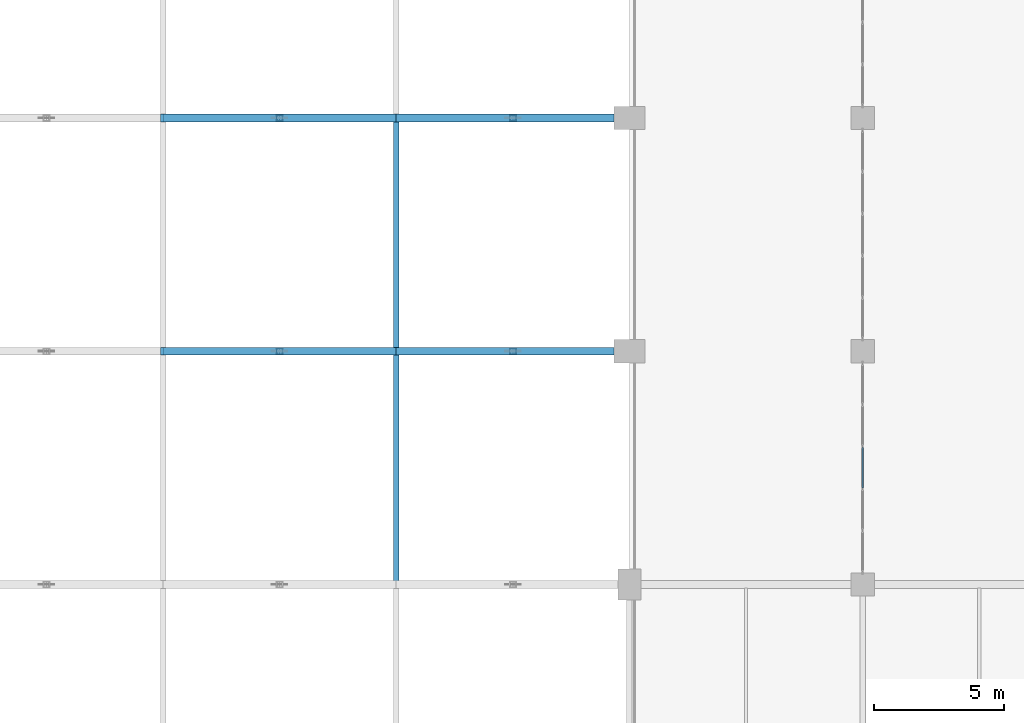
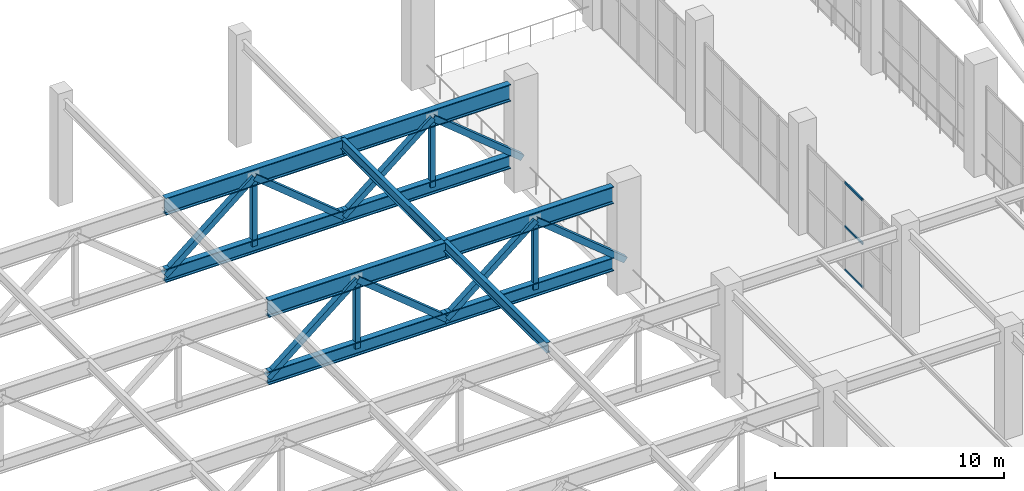
# One storey, part 28 of 223: 15 members, 10 beams, 1 element without a shape of its own.
"""IFC4 building model written with IfcOpenShell, lengths in metres."""

from ifc_helpers import new_model, si_unit, direction, frame, origin, origin_2d, place, context, subcontext, project, spatial, hollow_rectangle, i_section, extrude, material, layer, layer_set, material_profile, profile_set, type_object, element, aggregate, save


model = new_model("IFC4")

# Units and contexts
model_context = context("Model", 3, precision=1e-05, world=origin(), true_north=direction((0.0, 1.0)))
body_context = subcontext(model_context, "Body", "Model", "MODEL_VIEW")
ifc_project = project(units=[si_unit("LENGTHUNIT", "METRE"), si_unit("AREAUNIT", "SQUARE_METRE"), si_unit("VOLUMEUNIT", "CUBIC_METRE"), si_unit("PLANEANGLEUNIT", "RADIAN"), si_unit("MASSUNIT", "GRAM", prefix="KILO")], contexts=[model_context])

# Site, building, storey
site_placement = place(None, origin())
site = spatial("IfcSite", under=ifc_project, at=site_placement, CompositionType="ELEMENT")
building_placement = place(site_placement, origin())
building = spatial("IfcBuilding", under=site, at=building_placement, Name="Dornveld Trade and Exhibition Forum", CompositionType="ELEMENT")
storey_placement = place(building_placement, frame((0.0, 0.0, 6.0)))
storey = spatial("IfcBuildingStorey", under=building, at=storey_placement, Name="L01", CompositionType="ELEMENT", Elevation=6.0)

# Beams
ifc_material_1 = material(Name="Steel S355J2", Category="steel")
ifc_material_profile_1 = material_profile(ifc_material_1, i_section(OverallWidth=0.2099609375, OverallDepth=0.550048828125, WebThickness=0.010986328125, FlangeThickness=0.01708984375, FilletRadius=0.02392578125, at=origin_2d()), Name="IPE 550")
ifc_profile_set_1 = profile_set([ifc_material_profile_1], Name="Steel S355J2")
beam_type_1 = type_object("IfcBeamType", Name="BM-SEC-550", PredefinedType="BEAM", material=ifc_profile_set_1)
for number, where, z_axis, x_axis, name in (
    (1, (72.0, 108.0, 5.364990234375), (0.0, 1.0, 0.0), (-1.0, 0.0, 0.0), "Hall 3 secondary deck beam 1426"),
    (2, (72.0, 117.0, 5.364990234375), (0.0, 1.0, 0.0), (-1.0, 0.0, 0.0), "Hall 3 secondary deck beam 1427"),
):
    element("IfcBeam", number, at=place(storey_placement, frame(where, z_axis=z_axis, x_axis=x_axis)), inside=storey, type_object=beam_type_1, Name=name, PredefinedType="BEAM", context=body_context, shape_type="SweptSolid", body=[
        extrude(i_section(OverallWidth=0.2099609375, OverallDepth=0.550048828125, WebThickness=0.010986328125, FlangeThickness=0.01708984375, FilletRadius=0.02392578125, at=origin_2d()), origin(), (0.0, 0.0, 1.0), 9.0),
    ])
ifc_material_2 = material(Name="Steel S355J2", Category="steel")
ifc_material_profile_2 = material_profile(ifc_material_2, i_section(OverallWidth=0.303955078125, OverallDepth=0.716064453125, WebThickness=0.02099609375, FlangeThickness=0.0400390625, FilletRadius=0.027099609375, at=origin_2d()), Name="HEM 700")
ifc_profile_set_2 = profile_set([ifc_material_profile_2], Name="Steel S355J2")
beam_type_2 = type_object("IfcBeamType", Name="BM-TG-BOT700", PredefinedType="USERDEFINED", material=ifc_profile_set_2)
beam_1_placement = place(storey_placement, frame((63.0, 117.0, 1.5), z_axis=(1.0, 0.0, 0.0), x_axis=(0.0, 1.0, 0.0)))
element("IfcBeam", 3, at=beam_1_placement, inside=storey, type_object=beam_type_2, Name="Hall 3 transfer truss 9 bottom chord 5", ObjectType="GIRDER", PredefinedType="USERDEFINED", context=body_context, shape_type="SweptSolid", body=[
    extrude(i_section(OverallWidth=0.303955078125, OverallDepth=0.716064453125, WebThickness=0.02099609375, FlangeThickness=0.0400390625, FilletRadius=0.027099609375, at=origin_2d()), origin(), (0.0, 0.0, 1.0), 9.0),
])
beam_2_placement = place(storey_placement, frame((72.0, 117.0, 1.5), z_axis=(1.0, 0.0, 0.0), x_axis=(0.0, 1.0, 0.0)))
element("IfcBeam", 4, at=beam_2_placement, inside=storey, type_object=beam_type_2, Name="Hall 3 transfer truss 9 bottom chord 6", ObjectType="GIRDER", PredefinedType="USERDEFINED", context=body_context, shape_type="SweptSolid", body=[
    extrude(i_section(OverallWidth=0.303955078125, OverallDepth=0.716064453125, WebThickness=0.02099609375, FlangeThickness=0.0400390625, FilletRadius=0.027099609375, at=origin_2d()), origin(), (0.0, 0.0, 1.0), 8.404052734375),
])
beam_3_placement = place(storey_placement, frame((63.0, 126.0, 1.5), z_axis=(1.0, 0.0, 0.0), x_axis=(0.0, 1.0, 0.0)))
element("IfcBeam", 5, at=beam_3_placement, inside=storey, type_object=beam_type_2, Name="Hall 3 transfer truss 10 bottom chord 5", ObjectType="GIRDER", PredefinedType="USERDEFINED", context=body_context, shape_type="SweptSolid", body=[
    extrude(i_section(OverallWidth=0.303955078125, OverallDepth=0.716064453125, WebThickness=0.02099609375, FlangeThickness=0.0400390625, FilletRadius=0.027099609375, at=origin_2d()), origin(), (0.0, 0.0, 1.0), 9.0),
])
beam_4_placement = place(storey_placement, frame((72.0, 126.0, 1.5), z_axis=(1.0, 0.0, 0.0), x_axis=(0.0, 1.0, 0.0)))
element("IfcBeam", 6, at=beam_4_placement, inside=storey, type_object=beam_type_2, Name="Hall 3 transfer truss 10 bottom chord 6", ObjectType="GIRDER", PredefinedType="USERDEFINED", context=body_context, shape_type="SweptSolid", body=[
    extrude(i_section(OverallWidth=0.303955078125, OverallDepth=0.716064453125, WebThickness=0.02099609375, FlangeThickness=0.0400390625, FilletRadius=0.027099609375, at=origin_2d()), origin(), (0.0, 0.0, 1.0), 8.404052734375),
])
ifc_material_3 = material(Name="Steel S355J2", Category="steel")
ifc_material_profile_3 = material_profile(ifc_material_3, i_section(OverallWidth=0.302001953125, OverallDepth=0.909912109375, WebThickness=0.02099609375, FlangeThickness=0.0400390625, FilletRadius=0.030029296875, at=origin_2d()), Name="HEM 900")
ifc_profile_set_3 = profile_set([ifc_material_profile_3], Name="Steel S355J2")
beam_type_3 = type_object("IfcBeamType", Name="BM-TG-TOP900", PredefinedType="USERDEFINED", material=ifc_profile_set_3)
beam_5_placement = place(storey_placement, frame((63.0, 117.0, 5.18505859375), z_axis=(1.0, 0.0, 0.0), x_axis=(0.0, 1.0, 0.0)))
element("IfcBeam", 7, at=beam_5_placement, inside=storey, type_object=beam_type_3, Name="Hall 3 transfer truss 9 top chord 5", ObjectType="GIRDER", PredefinedType="USERDEFINED", context=body_context, shape_type="SweptSolid", body=[
    extrude(i_section(OverallWidth=0.302001953125, OverallDepth=0.909912109375, WebThickness=0.02099609375, FlangeThickness=0.0400390625, FilletRadius=0.030029296875, at=origin_2d()), origin(), (0.0, 0.0, 1.0), 9.0),
])
beam_6_placement = place(storey_placement, frame((72.0, 117.0, 5.18505859375), z_axis=(1.0, 0.0, 0.0), x_axis=(0.0, 1.0, 0.0)))
element("IfcBeam", 8, at=beam_6_placement, inside=storey, type_object=beam_type_3, Name="Hall 3 transfer truss 9 top chord 6", ObjectType="GIRDER", PredefinedType="USERDEFINED", context=body_context, shape_type="SweptSolid", body=[
    extrude(i_section(OverallWidth=0.302001953125, OverallDepth=0.909912109375, WebThickness=0.02099609375, FlangeThickness=0.0400390625, FilletRadius=0.030029296875, at=origin_2d()), origin(), (0.0, 0.0, 1.0), 8.404052734375),
])
beam_7_placement = place(storey_placement, frame((63.0, 126.0, 5.18505859375), z_axis=(1.0, 0.0, 0.0), x_axis=(0.0, 1.0, 0.0)))
element("IfcBeam", 9, at=beam_7_placement, inside=storey, type_object=beam_type_3, Name="Hall 3 transfer truss 10 top chord 5", ObjectType="GIRDER", PredefinedType="USERDEFINED", context=body_context, shape_type="SweptSolid", body=[
    extrude(i_section(OverallWidth=0.302001953125, OverallDepth=0.909912109375, WebThickness=0.02099609375, FlangeThickness=0.0400390625, FilletRadius=0.030029296875, at=origin_2d()), origin(), (0.0, 0.0, 1.0), 9.0),
])
beam_8_placement = place(storey_placement, frame((72.0, 126.0, 5.18505859375), z_axis=(1.0, 0.0, 0.0), x_axis=(0.0, 1.0, 0.0)))
element("IfcBeam", 10, at=beam_8_placement, inside=storey, type_object=beam_type_3, Name="Hall 3 transfer truss 10 top chord 6", ObjectType="GIRDER", PredefinedType="USERDEFINED", context=body_context, shape_type="SweptSolid", body=[
    extrude(i_section(OverallWidth=0.302001953125, OverallDepth=0.909912109375, WebThickness=0.02099609375, FlangeThickness=0.0400390625, FilletRadius=0.030029296875, at=origin_2d()), origin(), (0.0, 0.0, 1.0), 8.404052734375),
])

# Curtain wall, members
ifc_material_4 = material(Name="Dark-bronze anodised aluminium and low-E glass", Category="aluminium")
ifc_layer = layer(ifc_material_4, 0.14794921875)
ifc_layer_set = layer_set([ifc_layer], Name="Dark-bronze anodised aluminium and low-E glass")
curtain_wall_type = type_object("IfcCurtainWallType", Name="CW-SYS-02", PredefinedType="USERDEFINED", material=ifc_layer_set)
curtain_wall_placement = place(storey_placement, origin())
curtain_wall = element("IfcCurtainWall", 11, at=curtain_wall_placement, inside=storey, type_object=curtain_wall_type, Name="L01 unitised curtain wall 146", ObjectType="UNITISED_CURTAIN_WALL", PredefinedType="USERDEFINED")
ifc_material_5 = material(Name="Dark-bronze anodised aluminium", Category="aluminium")
ifc_material_profile_4 = material_profile(ifc_material_5, hollow_rectangle(XDim=0.06005859375, YDim=0.1201171875, WallThickness=0.00390625, at=origin_2d()), Name="RHS 120x60x4")
ifc_profile_set_4 = profile_set([ifc_material_profile_4], Name="Dark-bronze anodised aluminium")
member_type_1 = type_object("IfcMemberType", Name="CW-TRN-120", PredefinedType="USERDEFINED", material=ifc_profile_set_4)
member_1_placement = place(storey_placement, frame((90.0, 113.28076171875, 0.02587890625), z_axis=(0.0, -1.0, 0.0), x_axis=(1.0, 0.0, 0.0)))
member_1 = element("IfcMember", 12, at=member_1_placement, type_object=member_type_1, Name="CW-02 transom 3.1", ObjectType="TRANSOM", PredefinedType="USERDEFINED", context=body_context, shape_type="SweptSolid", body=[
    extrude(hollow_rectangle(XDim=0.06005859375, YDim=0.1201171875, WallThickness=0.00390625, at=origin_2d()), origin(), (0.0, 0.0, 1.0), 1.5615234375),
])
member_2_placement = place(storey_placement, frame((90.0, 113.28076171875, 2.347900390625), z_axis=(0.0, -1.0, 0.0), x_axis=(1.0, 0.0, 0.0)))
member_2 = element("IfcMember", 13, at=member_2_placement, type_object=member_type_1, Name="CW-02 transom 3.2", ObjectType="TRANSOM", PredefinedType="USERDEFINED", context=body_context, shape_type="SweptSolid", body=[
    extrude(hollow_rectangle(XDim=0.06005859375, YDim=0.1201171875, WallThickness=0.00390625, at=origin_2d()), origin(), (0.0, 0.0, 1.0), 1.5615234375),
])
member_3_placement = place(storey_placement, frame((90.0, 113.28076171875, 4.669921875), z_axis=(0.0, -1.0, 0.0), x_axis=(1.0, 0.0, 0.0)))
member_3 = element("IfcMember", 14, at=member_3_placement, type_object=member_type_1, Name="CW-02 transom 3.3", ObjectType="TRANSOM", PredefinedType="USERDEFINED", context=body_context, shape_type="SweptSolid", body=[
    extrude(hollow_rectangle(XDim=0.06005859375, YDim=0.1201171875, WallThickness=0.00390625, at=origin_2d()), origin(), (0.0, 0.0, 1.0), 1.5615234375),
])
aggregate(curtain_wall, [member_1, member_2, member_3])

# Members
ifc_material_6 = material(Name="Steel S355J2", Category="steel")
ifc_material_profile_5 = material_profile(ifc_material_6, hollow_rectangle(XDim=0.25, YDim=0.25, WallThickness=0.012451171875, at=origin_2d()), Name="SHS 250x250x12.5")
ifc_profile_set_5 = profile_set([ifc_material_profile_5], Name="Steel S355J2")
member_type_2 = type_object("IfcMemberType", Name="MEM-XFER-STR", PredefinedType="STRUT", material=ifc_profile_set_5)
for number, where, z_axis, x_axis, name in (
    (15, (67.5, 117.0, 1.5), (0.0, 0.0, 1.0), (1.0, 0.0, 0.0), "Transfer truss 9 strut 159"),
    (16, (76.5, 117.0, 1.5), (0.0, 0.0, 1.0), (1.0, 0.0, 0.0), "Transfer truss 9 strut 162"),
    (17, (67.5, 126.0, 1.5), (0.0, 0.0, 1.0), (1.0, 0.0, 0.0), "Transfer truss 10 strut 177"),
    (18, (76.5, 126.0, 1.5), (0.0, 0.0, 1.0), (1.0, 0.0, 0.0), "Transfer truss 10 strut 180"),
):
    element("IfcMember", number, at=place(storey_placement, frame(where, z_axis=z_axis, x_axis=x_axis)), inside=storey, type_object=member_type_2, Name=name, PredefinedType="STRUT", context=body_context, shape_type="SweptSolid", body=[
        extrude(hollow_rectangle(XDim=0.25, YDim=0.25, WallThickness=0.012451171875, at=origin_2d()), origin(), (0.0, 0.0, 1.0), 3.68505859375),
    ])
ifc_material_7 = material(Name="Steel S355J2", Category="steel")
ifc_material_profile_6 = material_profile(ifc_material_7, hollow_rectangle(XDim=0.300048828125, YDim=0.300048828125, WallThickness=0.01611328125, at=origin_2d()), Name="SHS 300x300x16")
ifc_profile_set_6 = profile_set([ifc_material_profile_6], Name="Steel S355J2")
member_type_3 = type_object("IfcMemberType", Name="MEM-XFER-WEB", PredefinedType="BRACE", material=ifc_profile_set_6)
for number, where, z_axis, x_axis, name in (
    (19, (63.0, 117.0, 1.5), (0.773684181611, 0.0, 0.633571453843), (0.0, 1.0, 0.0), "Transfer truss 9 web 157"),
    (20, (72.0, 117.0, 1.5), (-0.773684181611, 0.0, 0.633571453843), (0.0, -1.0, 0.0), "Transfer truss 9 web 158"),
    (21, (72.0, 117.0, 1.5), (0.773684181611, 0.0, 0.633571453843), (0.0, 1.0, 0.0), "Transfer truss 9 web 160"),
    (22, (81.0, 117.0, 1.5), (-0.773684181611, 0.0, 0.633571453843), (0.0, -1.0, 0.0), "Transfer truss 9 web 161"),
    (23, (63.0, 126.0, 1.5), (0.773684181611, 0.0, 0.633571453843), (0.0, 1.0, 0.0), "Transfer truss 10 web 175"),
    (24, (72.0, 126.0, 1.5), (-0.773684181611, 0.0, 0.633571453843), (0.0, -1.0, 0.0), "Transfer truss 10 web 176"),
    (25, (72.0, 126.0, 1.5), (0.773684181611, 0.0, 0.633571453843), (0.0, 1.0, 0.0), "Transfer truss 10 web 178"),
    (26, (81.0, 126.0, 1.5), (-0.773684181611, 0.0, 0.633571453843), (0.0, -1.0, 0.0), "Transfer truss 10 web 179"),
):
    element("IfcMember", number, at=place(storey_placement, frame(where, z_axis=z_axis, x_axis=x_axis)), inside=storey, type_object=member_type_3, Name=name, PredefinedType="BRACE", context=body_context, shape_type="SweptSolid", body=[
        extrude(hollow_rectangle(XDim=0.300048828125, YDim=0.300048828125, WallThickness=0.01611328125, at=origin_2d()), origin(), (0.0, 0.0, 1.0), 5.81640625),
    ])

save(model, "model.ifc")
